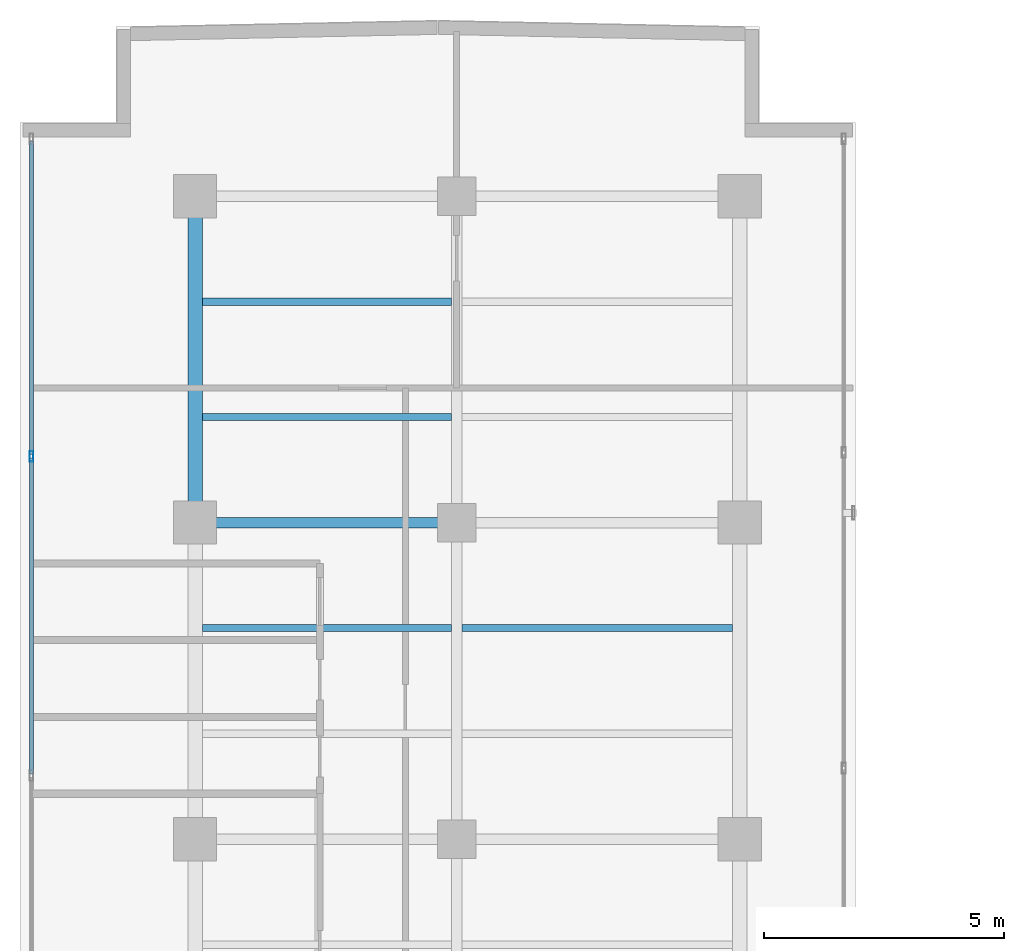
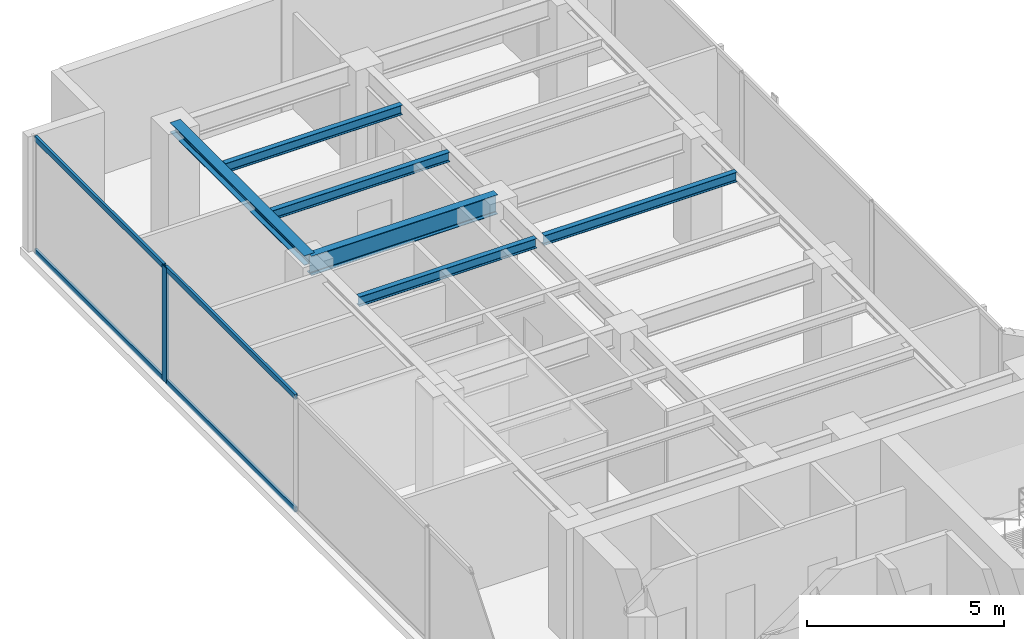
# One storey, part 13 of 24: 6 beams, 5 members, 1 element without a shape of its own.
"""IFC4 building model written with IfcOpenShell, lengths in metres."""

from ifc_helpers import new_model, si_unit, direction, frame, origin, origin_with_axes, origin_2d, place, context, subcontext, project, spatial, hollow_rectangle, i_section, extrude, source, transform, mapped, material, layer, layer_set, material_profile, profile_set, type_object, element, aggregate, save


model = new_model("IFC4")

# Units and contexts
model_context = context("Model", 3, precision=1e-05, world=origin(), true_north=direction((0.0, 1.0)))
body_context = subcontext(model_context, "Body", "Model", "MODEL_VIEW")
ifc_project = project(units=[si_unit("LENGTHUNIT", "METRE"), si_unit("AREAUNIT", "SQUARE_METRE"), si_unit("VOLUMEUNIT", "CUBIC_METRE"), si_unit("PLANEANGLEUNIT", "RADIAN"), si_unit("MASSUNIT", "GRAM", prefix="KILO")], contexts=[model_context])

# Site, building, storey
site_placement = place(None, origin())
site = spatial("IfcSite", under=ifc_project, at=site_placement, CompositionType="ELEMENT")
building_placement = place(site_placement, origin())
building = spatial("IfcBuilding", under=site, at=building_placement, Name="Kolvaren Waterfront Exchange", CompositionType="ELEMENT")
storey_placement = place(building_placement, frame((0.0, 0.0, 331.199951171875)))
storey = spatial("IfcBuildingStorey", under=building, at=storey_placement, Name="L85", CompositionType="ELEMENT", Elevation=331.199951171875)

# Beams
ifc_material_1 = material(Name="Steel S355", Category="steel")
ifc_material_profile_1 = material_profile(ifc_material_1, i_section(OverallWidth=0.300048828125, OverallDepth=0.300048828125, WebThickness=0.010986328125, FlangeThickness=0.01904296875, FilletRadius=0.027099609375, at=origin_2d()), Name="HEB300")
ifc_profile_set_1 = profile_set([ifc_material_profile_1], Name="Steel S355")
beam_type_1 = type_object("IfcBeamType", Name="STR-BM-HEB300", PredefinedType="SPANDREL", material=ifc_profile_set_1)
beam_1_placement = place(storey_placement, frame((7.449951171875, 37.800048828125, 3.41015625), z_axis=(0.0, 1.0, 0.0), x_axis=(-1.0, 0.0, 0.0)))
element("IfcBeam", 1, at=beam_1_placement, inside=storey, type_object=beam_type_1, Name="L85 north-arm edge beam 3", PredefinedType="SPANDREL", context=body_context, shape_type="SweptSolid", body=[
    extrude(i_section(OverallWidth=0.300048828125, OverallDepth=0.300048828125, WebThickness=0.010986328125, FlangeThickness=0.01904296875, FilletRadius=0.027099609375, at=origin_2d()), origin(), (0.0, 0.0, 1.0), 6.800048828125),
])
ifc_material_profile_2 = material_profile(ifc_material_1, i_section(OverallWidth=0.14990234375, OverallDepth=0.300048828125, WebThickness=0.007080078125, FlangeThickness=0.0107421875, FilletRadius=0.014892578125, at=origin_2d()), Name="IPE300")
ifc_profile_set_2 = profile_set([ifc_material_profile_2], Name="Steel S355")
beam_type_2 = type_object("IfcBeamType", Name="STR-BM-IPE300", PredefinedType="JOIST", material=ifc_profile_set_2)
beam_2_placement = place(storey_placement, frame((7.60205078125, 35.60009765625, 3.41015625), z_axis=(1.0, 0.0, 0.0), x_axis=(0.0, 1.0, 0.0)))
element("IfcBeam", 2, at=beam_2_placement, inside=storey, type_object=beam_type_2, Name="L85 north-arm composite joist 4A", PredefinedType="JOIST", context=body_context, shape_type="SweptSolid", body=[
    extrude(i_section(OverallWidth=0.14990234375, OverallDepth=0.300048828125, WebThickness=0.007080078125, FlangeThickness=0.0107421875, FilletRadius=0.014892578125, at=origin_2d()), origin(), (0.0, 0.0, 1.0), 5.18603515625),
])
beam_3_placement = place(storey_placement, frame((13.011962890625, 35.60009765625, 3.41015625), z_axis=(1.0, 0.0, 0.0), x_axis=(0.0, 1.0, 0.0)))
element("IfcBeam", 3, at=beam_3_placement, inside=storey, type_object=beam_type_2, Name="L85 north-arm composite joist 4B", PredefinedType="JOIST", context=body_context, shape_type="SweptSolid", body=[
    extrude(i_section(OverallWidth=0.14990234375, OverallDepth=0.300048828125, WebThickness=0.007080078125, FlangeThickness=0.0107421875, FilletRadius=0.014892578125, at=origin_2d()), origin(), (0.0, 0.0, 1.0), 5.635986328125),
])
for number, where, z_axis, x_axis, name in (
    (4, (7.60205078125, 40.0, 3.41015625), (1.0, 0.0, 0.0), (0.0, 1.0, 0.0), "L85 north-arm composite joist 5A"),
    (5, (7.60205078125, 42.39990234375, 3.41015625), (1.0, 0.0, 0.0), (0.0, 1.0, 0.0), "L85 north-arm composite joist 6A"),
):
    element("IfcBeam", number, at=place(storey_placement, frame(where, z_axis=z_axis, x_axis=x_axis)), inside=storey, type_object=beam_type_2, Name=name, PredefinedType="JOIST", context=body_context, shape_type="SweptSolid", body=[
        extrude(i_section(OverallWidth=0.14990234375, OverallDepth=0.300048828125, WebThickness=0.007080078125, FlangeThickness=0.0107421875, FilletRadius=0.014892578125, at=origin_2d()), origin(), (0.0, 0.0, 1.0), 5.18603515625),
    ])
ifc_material_profile_3 = material_profile(ifc_material_1, i_section(OverallWidth=0.219970703125, OverallDepth=0.60009765625, WebThickness=0.011962890625, FlangeThickness=0.01904296875, FilletRadius=0.02392578125, at=origin_2d()), Name="IPE600")
ifc_profile_set_3 = profile_set([ifc_material_profile_3], Name="Steel S355")
beam_type_3 = type_object("IfcBeamType", Name="STR-BM-IPE600", PredefinedType="BEAM", material=ifc_profile_set_3)
beam_4_placement = place(storey_placement, frame((7.449951171875, 37.800048828125, 3.260009765625), z_axis=(1.0, 0.0, 0.0), x_axis=(0.0, 1.0, 0.0)))
element("IfcBeam", 6, at=beam_4_placement, inside=storey, type_object=beam_type_3, Name="L85 north-arm girder 3A", PredefinedType="BEAM", context=body_context, shape_type="SweptSolid", body=[
    extrude(i_section(OverallWidth=0.219970703125, OverallDepth=0.60009765625, WebThickness=0.011962890625, FlangeThickness=0.01904296875, FilletRadius=0.02392578125, at=origin_2d()), origin(), (0.0, 0.0, 1.0), 5.449951171875),
])

# Curtain wall, members
ifc_material_2 = material(Name="Anodised aluminium 6063-T6", Category="aluminium")
ifc_layer = layer(ifc_material_2, 0.219970703125, Name="Anodised aluminium 6063-T6")
ifc_layer_set = layer_set([ifc_layer], Name="Anodised aluminium 6063-T6")
curtain_wall_type = type_object("IfcCurtainWallType", Name="ARC-CW-SYS2", PredefinedType="USERDEFINED", material=ifc_layer_set)
curtain_wall_placement = place(storey_placement, origin())
curtain_wall = element("IfcCurtainWall", 7, at=curtain_wall_placement, inside=storey, type_object=curtain_wall_type, Name="L85 stick curtain wall CW2 (CW-L85-W)", ObjectType="STICK CURTAIN WALL", PredefinedType="USERDEFINED")
ifc_material_profile_4 = material_profile(ifc_material_2, hollow_rectangle(XDim=0.080078125, YDim=0.219970703125, WallThickness=0.0048828125, at=origin_2d()), Name="ALU-MUL-220x80x5")
ifc_profile_set_4 = profile_set([ifc_material_profile_4], Name="Anodised aluminium 6063-T6")
member_type_1 = type_object("IfcMemberType", Name="ARC-CWM-220", PredefinedType="MULLION", material=ifc_profile_set_4)
shared_shape_1 = source(origin_with_axes(), body_context, "Body", "SweptSolid", [
    extrude(hollow_rectangle(XDim=0.080078125, YDim=0.219970703125, WallThickness=0.0048828125, at=origin_2d()), origin(), (0.0, 0.0, 1.0), 3.56005859375),
])
member_1_placement = place(storey_placement, frame((4.0400390625, 39.1806640625, 0.0), z_axis=(0.0, 0.0, 1.0), x_axis=(-1.0, 0.0, 0.0)))
member_1 = element("IfcMember", 8, at=member_1_placement, type_object=member_type_1, Name="CW2 mullion 6", PredefinedType="MULLION", context=body_context, shape_type="MappedRepresentation", body=[
    mapped(shared_shape_1, transform((0.0, 0.0, 0.0), x_axis=(1.0, 0.0, 0.0), y_axis=(0.0, 1.0, 0.0), z_axis=(0.0, 0.0, 1.0), scale=1.0)),
])
ifc_material_profile_5 = material_profile(ifc_material_2, hollow_rectangle(XDim=0.074951171875, YDim=0.159912109375, WallThickness=0.00439453125, at=origin_2d()), Name="ALU-TRN-160x75x4.5")
ifc_profile_set_5 = profile_set([ifc_material_profile_5], Name="Anodised aluminium 6063-T6")
member_type_2 = type_object("IfcMemberType", Name="ARC-CWT-160", PredefinedType="USERDEFINED", material=ifc_profile_set_5)
shared_shape_2 = source(origin_with_axes(), body_context, "Body", "SweptSolid", [
    extrude(hollow_rectangle(XDim=0.074951171875, YDim=0.159912109375, WallThickness=0.00439453125, at=origin_2d()), origin(), (0.0, 0.0, 1.0), 6.5361328125),
])
member_2_placement = place(storey_placement, frame((4.0400390625, 39.220703125, 0.03759765625), z_axis=(0.0, 1.0, 0.0), x_axis=(-1.0, 0.0, 0.0)))
member_2 = element("IfcMember", 9, at=member_2_placement, type_object=member_type_2, Name="CW2 transom 6.1", ObjectType="TRANSOM", PredefinedType="USERDEFINED", context=body_context, shape_type="MappedRepresentation", body=[
    mapped(shared_shape_2, transform((0.0, 0.0, 0.0), x_axis=(1.0, 0.0, 0.0), y_axis=(0.0, 1.0, 0.0), z_axis=(0.0, 0.0, 1.0), scale=1.0)),
])
member_3_placement = place(storey_placement, frame((4.0400390625, 39.220703125, 3.5224609375), z_axis=(0.0, 1.0, 0.0), x_axis=(-1.0, 0.0, 0.0)))
member_3 = element("IfcMember", 10, at=member_3_placement, type_object=member_type_2, Name="CW2 transom 6.2", ObjectType="TRANSOM", PredefinedType="USERDEFINED", context=body_context, shape_type="MappedRepresentation", body=[
    mapped(shared_shape_2, transform((0.0, 0.0, 0.0), x_axis=(1.0, 0.0, 0.0), y_axis=(0.0, 1.0, 0.0), z_axis=(0.0, 0.0, 1.0), scale=1.0)),
])
shared_shape_3 = source(origin_with_axes(), body_context, "Body", "SweptSolid", [
    extrude(hollow_rectangle(XDim=0.074951171875, YDim=0.159912109375, WallThickness=0.00439453125, at=origin_2d()), origin(), (0.0, 0.0, 1.0), 6.576171875),
])
member_4_placement = place(storey_placement, frame((4.0400390625, 32.564453125, 0.03759765625), z_axis=(0.0, 1.0, 0.0), x_axis=(-1.0, 0.0, 0.0)))
member_4 = element("IfcMember", 11, at=member_4_placement, type_object=member_type_2, Name="CW2 transom 5.1", ObjectType="TRANSOM", PredefinedType="USERDEFINED", context=body_context, shape_type="MappedRepresentation", body=[
    mapped(shared_shape_3, transform((0.0, 0.0, 0.0), x_axis=(1.0, 0.0, 0.0), y_axis=(0.0, 1.0, 0.0), z_axis=(0.0, 0.0, 1.0), scale=1.0)),
])
member_5_placement = place(storey_placement, frame((4.0400390625, 32.564453125, 3.5224609375), z_axis=(0.0, 1.0, 0.0), x_axis=(-1.0, 0.0, 0.0)))
member_5 = element("IfcMember", 12, at=member_5_placement, type_object=member_type_2, Name="CW2 transom 5.2", ObjectType="TRANSOM", PredefinedType="USERDEFINED", context=body_context, shape_type="MappedRepresentation", body=[
    mapped(shared_shape_3, transform((0.0, 0.0, 0.0), x_axis=(1.0, 0.0, 0.0), y_axis=(0.0, 1.0, 0.0), z_axis=(0.0, 0.0, 1.0), scale=1.0)),
])
aggregate(curtain_wall, [member_1, member_4, member_5, member_2, member_3])

save(model, "model.ifc")
